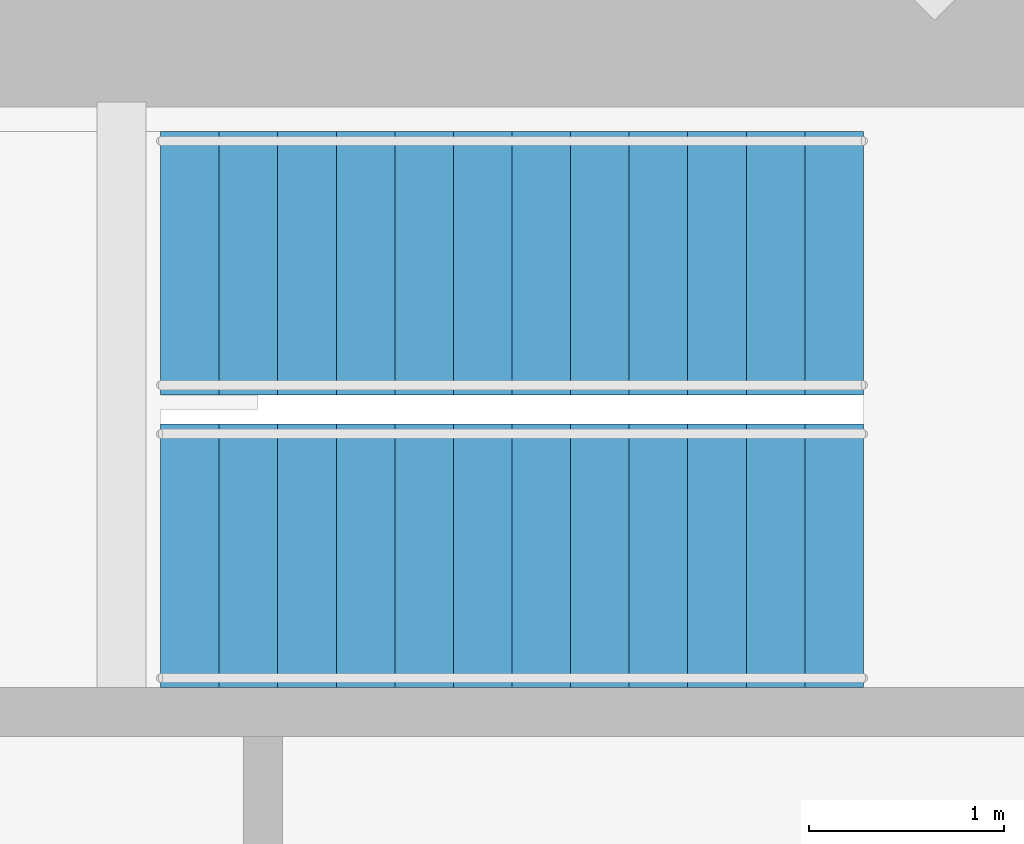
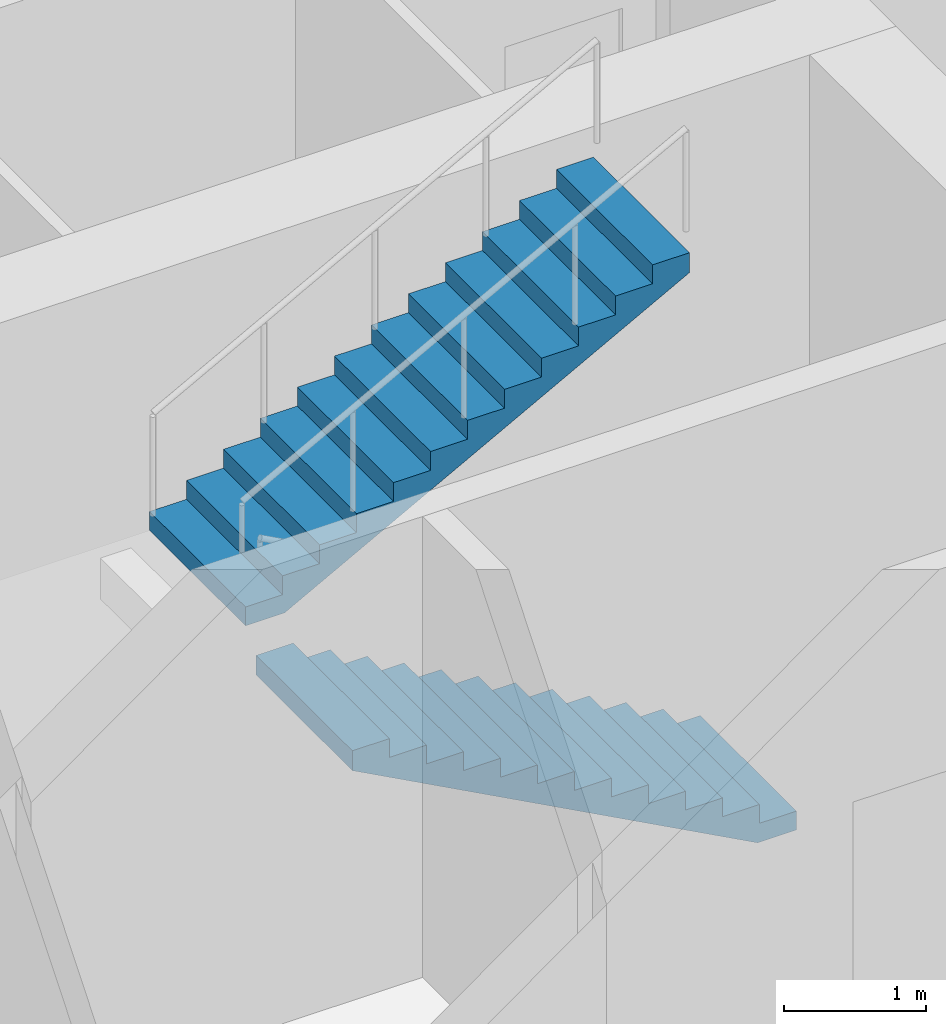
# One storey, part 10 of 12: 2 stair flights, 1 element without a shape of its own.
"""IFC4 building model written with IfcOpenShell, lengths in metres."""

from ifc_helpers import new_model, si_unit, direction, frame, origin, place, context, subcontext, project, spatial, polyline, outline, extrude, material, type_object, element, aggregate, save


model = new_model("IFC4")

# Units and contexts
model_context = context("Model", 3, precision=1e-05, world=origin(), true_north=direction((0.0, 1.0)))
body_context = subcontext(model_context, "Body", "Model", "MODEL_VIEW")
ifc_project = project(units=[si_unit("LENGTHUNIT", "METRE"), si_unit("AREAUNIT", "SQUARE_METRE"), si_unit("VOLUMEUNIT", "CUBIC_METRE"), si_unit("PLANEANGLEUNIT", "RADIAN"), si_unit("MASSUNIT", "GRAM", prefix="KILO")], contexts=[model_context])

# Site, building, storey
site_placement = place(None, origin())
site = spatial("IfcSite", under=ifc_project, at=site_placement, CompositionType="ELEMENT")
building_placement = place(site_placement, origin())
building = spatial("IfcBuilding", under=site, at=building_placement, Name="Msitu Wima Residences", CompositionType="ELEMENT")
storey_placement = place(building_placement, frame((0.0, 0.0, 162.300048828125)))
storey = spatial("IfcBuildingStorey", under=building, at=storey_placement, Name="L37", CompositionType="ELEMENT", Elevation=162.300048828125)

# Stair, stair flights
ifc_material = material(Name="Concrete C40/50", Category="concrete")
stair_type = type_object("IfcStairType", Name="Exit stair ES1615-135", PredefinedType="HALF_TURN_STAIR", material=ifc_material)
stair_placement = place(storey_placement, origin())
stair = element("IfcStair", 1, at=stair_placement, inside=storey, type_object=stair_type, Name="Exit stair 3", PredefinedType="HALF_TURN_STAIR")
stair_flight_type = type_object("IfcStairFlightType", Name="Exit stair flight ES1615-135", PredefinedType="STRAIGHT", material=ifc_material)
stair_flight_1_placement = place(storey_placement, frame((11.875, 9.0, 0.0), z_axis=(0.0, 0.0, 1.0), x_axis=(-1.0, 0.0, 0.0)))
stair_flight_1 = element("IfcStairFlight", 2, at=stair_flight_1_placement, type_object=stair_flight_type, Name="S3 flight 1", NumberOfRisers=13, NumberOfTreads=12, PredefinedType="STRAIGHT", RiserHeight=0.161538462, TreadLength=0.3, context=body_context, shape_type="SweptSolid", body=[
    extrude(outline(polyline([(0.0, 0.0), (0.0, 0.16162109375), (0.300048828125, 0.16162109375), (0.300048828125, 0.322998046875), (0.60009765625, 0.322998046875), (0.60009765625, 0.484619140625), (0.89990234375, 0.484619140625), (0.89990234375, 0.646240234375), (1.199951171875, 0.646240234375), (1.199951171875, 0.8076171875), (1.5, 0.8076171875), (1.5, 0.96923828125), (1.800048828125, 0.96923828125), (1.800048828125, 1.130859375), (2.10009765625, 1.130859375), (2.10009765625, 1.292236328125), (2.39990234375, 1.292236328125), (2.39990234375, 1.453857421875), (2.699951171875, 1.453857421875), (2.699951171875, 1.615478515625), (3.0, 1.615478515625), (3.0, 1.77685546875), (3.300048828125, 1.77685546875), (3.300048828125, 1.9384765625), (3.60009765625, 1.9384765625), (3.60009765625, 2.10009765625), (3.60009765625, 1.768310546875), (0.316162109375, 0.0), (0.0, 0.0)])), frame((0.0, 0.675048828125, 0.0), z_axis=(0.0, -1.0, 0.0), x_axis=(1.0, 0.0, 0.0)), (0.0, 0.0, 1.0), 1.35009765625),
])
stair_flight_2_placement = place(storey_placement, frame((8.27490234375, 10.5, 2.099853515625), z_axis=(0.0, 0.0, 1.0), x_axis=(1.0, 0.0, 0.0)))
stair_flight_2 = element("IfcStairFlight", 3, at=stair_flight_2_placement, type_object=stair_flight_type, Name="S3 flight 2", NumberOfRisers=13, NumberOfTreads=12, PredefinedType="STRAIGHT", RiserHeight=0.161538462, TreadLength=0.3, context=body_context, shape_type="SweptSolid", body=[
    extrude(outline(polyline([(0.0, 0.0), (0.0, 0.16162109375), (0.300048828125, 0.16162109375), (0.300048828125, 0.322998046875), (0.60009765625, 0.322998046875), (0.60009765625, 0.484619140625), (0.89990234375, 0.484619140625), (0.89990234375, 0.646240234375), (1.199951171875, 0.646240234375), (1.199951171875, 0.8076171875), (1.5, 0.8076171875), (1.5, 0.96923828125), (1.800048828125, 0.96923828125), (1.800048828125, 1.130859375), (2.10009765625, 1.130859375), (2.10009765625, 1.292236328125), (2.39990234375, 1.292236328125), (2.39990234375, 1.453857421875), (2.699951171875, 1.453857421875), (2.699951171875, 1.615478515625), (3.0, 1.615478515625), (3.0, 1.77685546875), (3.300048828125, 1.77685546875), (3.300048828125, 1.9384765625), (3.60009765625, 1.9384765625), (3.60009765625, 2.10009765625), (3.60009765625, 1.768310546875), (0.316162109375, 0.0), (0.0, 0.0)])), frame((0.0, 0.675048828125, 0.0), z_axis=(0.0, -1.0, 0.0), x_axis=(1.0, 0.0, 0.0)), (0.0, 0.0, 1.0), 1.35009765625),
])
aggregate(stair, [stair_flight_1, stair_flight_2])

save(model, "model.ifc")
